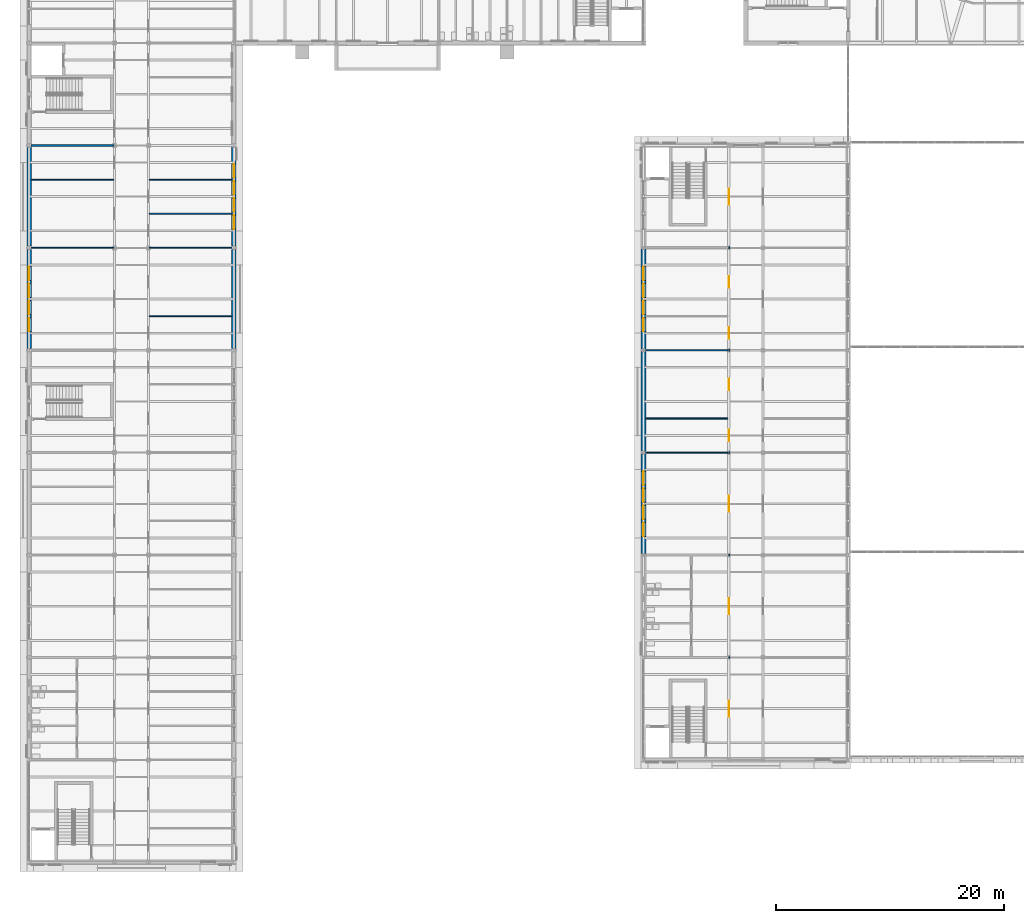
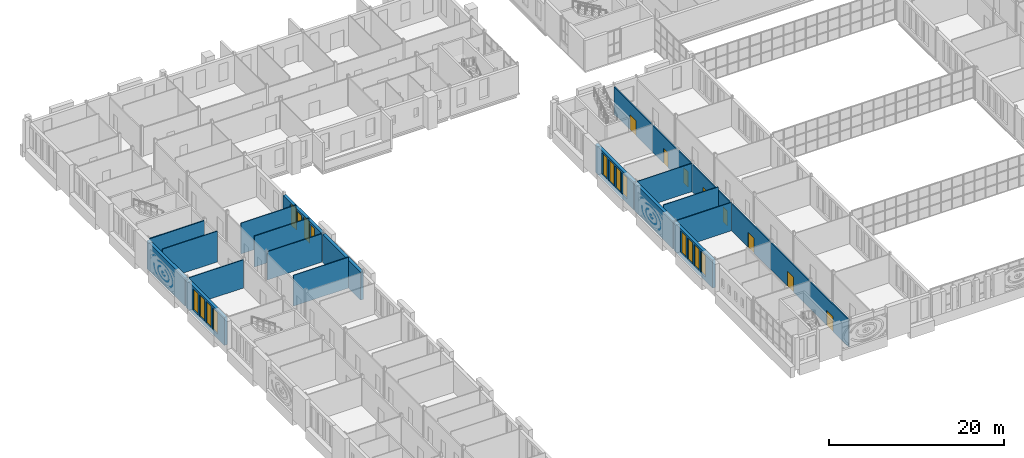
# One storey, part 75 of 131: 18 walls, 16 windows, 8 doors, 24 openings.
"""IFC4 building model written with IfcOpenShell, lengths in metres."""

from ifc_helpers import new_model, si_unit, direction, frame, frame_2d, origin, place, context, subcontext, project, spatial, rectangle, extrude, material, layer, layer_set, type_object, element, fill, save


model = new_model("IFC4")

# Units and contexts
model_context = context("Model", 3, precision=1e-05, world=origin(), true_north=direction((0.0, 1.0)))
body_context = subcontext(model_context, "Body", "Model", "MODEL_VIEW")
ifc_project = project(units=[si_unit("LENGTHUNIT", "METRE"), si_unit("AREAUNIT", "SQUARE_METRE"), si_unit("VOLUMEUNIT", "CUBIC_METRE"), si_unit("PLANEANGLEUNIT", "RADIAN"), si_unit("MASSUNIT", "GRAM", prefix="KILO")], contexts=[model_context])

# Site, building, storey
site_placement = place(None, origin())
site = spatial("IfcSite", under=ifc_project, at=site_placement, CompositionType="ELEMENT")
building_placement = place(site_placement, origin())
building = spatial("IfcBuilding", under=site, at=building_placement, Name="Golden Quay Civic Hall", CompositionType="ELEMENT")
storey_placement = place(building_placement, frame((0.0, 0.0, 9.89990234375)))
storey = spatial("IfcBuildingStorey", under=building, at=storey_placement, Name="L02", CompositionType="ELEMENT", Elevation=9.89990234375)

# Walls
ifc_material_1 = material(Name="Plasterboard on steel studs", Category="steel")
ifc_layer_1 = layer(ifc_material_1, 0.10009765625)
ifc_layer_set_1 = layer_set([ifc_layer_1], Name="Partition 100 stud")
wall_type_1 = type_object("IfcWallType", Name="Partition 100 stud", PredefinedType="PARTITIONING", material=ifc_layer_set_1)
wall_1_placement = place(storey_placement, frame((0.199951171875, 45.0, 0.0), z_axis=(0.0, 0.0, 1.0), x_axis=(1.0, 0.0, 0.0)))
element("IfcWall", 1, at=wall_1_placement, inside=storey, type_object=wall_type_1, Name="Partition L02-005", PredefinedType="PARTITIONING", context=body_context, shape_type="SweptSolid", body=[
    extrude(rectangle(XDim=7.22509765625, YDim=0.10009765625, at=frame_2d((3.612548828125, 0.0))), origin(), (0.0, 0.0, 1.0), 3.9501953125),
])
for number, where, z_axis, x_axis, name in (
    (2, (0.199951171875, 51.0, 0.0), (0.0, 0.0, 1.0), (1.0, 0.0, 0.0), "Partition L02-006"),
    (3, (10.574951171875, 39.0, 0.0), (0.0, 0.0, 1.0), (1.0, 0.0, 0.0), "Partition L02-019"),
):
    element("IfcWall", number, at=place(storey_placement, frame(where, z_axis=z_axis, x_axis=x_axis)), inside=storey, type_object=wall_type_1, Name=name, PredefinedType="PARTITIONING", context=body_context, shape_type="SweptSolid", body=[
        extrude(rectangle(XDim=7.22509765625, YDim=0.10009765625, at=frame_2d((3.612548828125, 0.0))), origin(), (0.0, 0.0, 1.0), 4.300048828125),
    ])
wall_2_placement = place(storey_placement, frame((10.574951171875, 45.0, 0.0), z_axis=(0.0, 0.0, 1.0), x_axis=(1.0, 0.0, 0.0)))
element("IfcWall", 4, at=wall_2_placement, inside=storey, type_object=wall_type_1, Name="Partition L02-020", PredefinedType="PARTITIONING", context=body_context, shape_type="SweptSolid", body=[
    extrude(rectangle(XDim=7.22509765625, YDim=0.10009765625, at=frame_2d((3.612548828125, 0.0))), origin(), (0.0, 0.0, 1.0), 3.9501953125),
])
for number, where, z_axis, x_axis, name in (
    (5, (10.574951171875, 48.0, 0.0), (0.0, 0.0, 1.0), (1.0, 0.0, 0.0), "Partition L02-021"),
    (6, (10.574951171875, 51.0, 0.0), (0.0, 0.0, 1.0), (1.0, 0.0, 0.0), "Partition L02-022"),
):
    element("IfcWall", number, at=place(storey_placement, frame(where, z_axis=z_axis, x_axis=x_axis)), inside=storey, type_object=wall_type_1, Name=name, PredefinedType="PARTITIONING", context=body_context, shape_type="SweptSolid", body=[
        extrude(rectangle(XDim=7.22509765625, YDim=0.10009765625, at=frame_2d((3.612548828125, 0.0))), origin(), (0.0, 0.0, 1.0), 4.300048828125),
    ])
wall_3_placement = place(storey_placement, frame((54.199951171875, 27.0, 0.0), z_axis=(0.0, 0.0, 1.0), x_axis=(1.0, 0.0, 0.0)))
element("IfcWall", 7, at=wall_3_placement, inside=storey, type_object=wall_type_1, Name="Partition L02-001", PredefinedType="PARTITIONING", context=body_context, shape_type="SweptSolid", body=[
    extrude(rectangle(XDim=7.22509765625, YDim=0.10009765625, at=frame_2d((3.612548828125, 0.0))), origin(), (0.0, 0.0, 1.0), 3.9501953125),
])
wall_4_placement = place(storey_placement, frame((54.199951171875, 30.0, 0.0), z_axis=(0.0, 0.0, 1.0), x_axis=(1.0, 0.0, 0.0)))
element("IfcWall", 8, at=wall_4_placement, inside=storey, type_object=wall_type_1, Name="Partition L02-002", PredefinedType="PARTITIONING", context=body_context, shape_type="SweptSolid", body=[
    extrude(rectangle(XDim=7.22509765625, YDim=0.10009765625, at=frame_2d((3.612548828125, 0.0))), origin(), (0.0, 0.0, 1.0), 4.300048828125),
])
wall_5_placement = place(storey_placement, frame((54.199951171875, 36.0, 0.0), z_axis=(0.0, 0.0, 1.0), x_axis=(1.0, 0.0, 0.0)))
element("IfcWall", 9, at=wall_5_placement, inside=storey, type_object=wall_type_1, Name="Partition L02-003", PredefinedType="PARTITIONING", context=body_context, shape_type="SweptSolid", body=[
    extrude(rectangle(XDim=7.22509765625, YDim=0.10009765625, at=frame_2d((3.612548828125, 0.0))), origin(), (0.0, 0.0, 1.0), 3.9501953125),
])
ifc_material_2 = material(Name="Plasterboard on steel studs", Category="steel")
ifc_layer_2 = layer(ifc_material_2, 0.14990234375)
ifc_layer_set_2 = layer_set([ifc_layer_2], Name="Partition 150 stud fire EI 60")
wall_type_2 = type_object("IfcWallType", Name="Partition 150 stud fire EI 60", PredefinedType="PARTITIONING", material=ifc_layer_set_2)
wall_6_placement = place(storey_placement, frame((0.199951171875, 54.0, 0.0), z_axis=(0.0, 0.0, 1.0), x_axis=(1.0, 0.0, 0.0)))
element("IfcWall", 10, at=wall_6_placement, inside=storey, type_object=wall_type_2, Name="Partition L02-007", PredefinedType="PARTITIONING", context=body_context, shape_type="SweptSolid", body=[
    extrude(rectangle(XDim=7.22509765625, YDim=0.14990234375, at=frame_2d((3.612548828125, 0.0))), origin(), (0.0, 0.0, 1.0), 3.9501953125),
])

# Wall, openings, doors
wall_7_placement = place(storey_placement, frame((61.5, 0.199951171875, 0.0), z_axis=(0.0, 0.0, 1.0), x_axis=(0.0, 1.0, 0.0)))
wall_7 = element("IfcWall", 11, at=wall_7_placement, inside=storey, type_object=wall_type_2, Name="Partition L02-013", PredefinedType="PARTITIONING", context=body_context, shape_type="SweptSolid", body=[
    extrude(rectangle(XDim=53.60009765625, YDim=0.14990234375, at=frame_2d((26.800048828125, 0.0))), origin(), (0.0, 0.0, 1.0), 3.780029296875),
])
opening_1_placement = place(wall_7_placement, frame((21.60009765625, 0.0, 0.0)))
opening_1 = element("IfcOpeningElement", 12, at=opening_1_placement, cuts=wall_7, Name="Opening L02-D085", PredefinedType="OPENING", context=body_context, shape_type="SweptSolid", body=[
    extrude(rectangle(XDim=1.39990234375, YDim=2.10009765625, at=frame_2d((0.699951171875, 1.050048828125))), frame((0.0, 0.0849609375, 0.0), z_axis=(0.0, -1.0, 0.0), x_axis=(1.0, 0.0, 0.0)), (0.0, 0.0, 1.0), 0.169921875),
])
opening_2_placement = place(wall_7_placement, frame((27.800048828125, 0.0, 0.0)))
opening_2 = element("IfcOpeningElement", 13, at=opening_2_placement, cuts=wall_7, Name="Opening L02-D086", PredefinedType="OPENING", context=body_context, shape_type="SweptSolid", body=[
    extrude(rectangle(XDim=1.0, YDim=2.10009765625, at=frame_2d((0.5, 1.050048828125))), frame((0.0, 0.0849609375, 0.0), z_axis=(0.0, -1.0, 0.0), x_axis=(1.0, 0.0, 0.0)), (0.0, 0.0, 1.0), 0.169921875),
])
opening_3_placement = place(wall_7_placement, frame((32.300048828125, 0.0, 0.0)))
opening_3 = element("IfcOpeningElement", 14, at=opening_3_placement, cuts=wall_7, Name="Opening L02-D087", PredefinedType="OPENING", context=body_context, shape_type="SweptSolid", body=[
    extrude(rectangle(XDim=1.0, YDim=2.10009765625, at=frame_2d((0.5, 1.050048828125))), frame((0.0, 0.0849609375, 0.0), z_axis=(0.0, -1.0, 0.0), x_axis=(1.0, 0.0, 0.0)), (0.0, 0.0, 1.0), 0.169921875),
])
opening_4_placement = place(wall_7_placement, frame((36.800048828125, 0.0, 0.0)))
opening_4 = element("IfcOpeningElement", 15, at=opening_4_placement, cuts=wall_7, Name="Opening L02-D088", PredefinedType="OPENING", context=body_context, shape_type="SweptSolid", body=[
    extrude(rectangle(XDim=1.0, YDim=2.10009765625, at=frame_2d((0.5, 1.050048828125))), frame((0.0, 0.0849609375, 0.0), z_axis=(0.0, -1.0, 0.0), x_axis=(1.0, 0.0, 0.0)), (0.0, 0.0, 1.0), 0.169921875),
])
opening_5_placement = place(wall_7_placement, frame((41.300048828125, 0.0, 0.0)))
opening_5 = element("IfcOpeningElement", 16, at=opening_5_placement, cuts=wall_7, Name="Opening L02-D089", PredefinedType="OPENING", context=body_context, shape_type="SweptSolid", body=[
    extrude(rectangle(XDim=1.0, YDim=2.10009765625, at=frame_2d((0.5, 1.050048828125))), frame((0.0, 0.0849609375, 0.0), z_axis=(0.0, -1.0, 0.0), x_axis=(1.0, 0.0, 0.0)), (0.0, 0.0, 1.0), 0.169921875),
])
opening_6_placement = place(wall_7_placement, frame((12.60009765625, 0.0, 0.0)))
opening_6 = element("IfcOpeningElement", 17, at=opening_6_placement, cuts=wall_7, Name="Opening L02-D097", PredefinedType="OPENING", context=body_context, shape_type="SweptSolid", body=[
    extrude(rectangle(XDim=1.39990234375, YDim=2.10009765625, at=frame_2d((0.699951171875, 1.050048828125))), frame((0.0, 0.0849609375, 0.0), z_axis=(0.0, -1.0, 0.0), x_axis=(1.0, 0.0, 0.0)), (0.0, 0.0, 1.0), 0.169921875),
])
opening_7_placement = place(wall_7_placement, frame((3.60009765625, 0.0, 0.0)))
opening_7 = element("IfcOpeningElement", 18, at=opening_7_placement, cuts=wall_7, Name="Opening L02-D102", PredefinedType="OPENING", context=body_context, shape_type="SweptSolid", body=[
    extrude(rectangle(XDim=1.39990234375, YDim=2.10009765625, at=frame_2d((0.699951171875, 1.050048828125))), frame((0.0, 0.0849609375, 0.0), z_axis=(0.0, -1.0, 0.0), x_axis=(1.0, 0.0, 0.0)), (0.0, 0.0, 1.0), 0.169921875),
])
opening_8_placement = place(wall_7_placement, frame((48.60009765625, 0.0, 0.0)))
opening_8 = element("IfcOpeningElement", 19, at=opening_8_placement, cuts=wall_7, Name="Opening L02-D104", PredefinedType="OPENING", context=body_context, shape_type="SweptSolid", body=[
    extrude(rectangle(XDim=1.39990234375, YDim=2.10009765625, at=frame_2d((0.699951171875, 1.050048828125))), frame((0.0, 0.0849609375, 0.0), z_axis=(0.0, -1.0, 0.0), x_axis=(1.0, 0.0, 0.0)), (0.0, 0.0, 1.0), 0.169921875),
])
ifc_material_3 = material(Name="Steel", Category="steel")
door_type_1 = type_object("IfcDoorType", Name="Steel double fire door FD30S 1400 x 2100", OperationType="DOUBLE_DOOR_SINGLE_SWING", PredefinedType="DOOR", material=ifc_material_3)
door_1_placement = place(opening_1_placement, origin())
door_1 = element("IfcDoor", 20, at=door_1_placement, inside=storey, type_object=door_type_1, Name="Door L02-D085", OperationType="DOUBLE_DOOR_SINGLE_SWING", OverallHeight=2.10009765625, OverallWidth=1.39990234375, PredefinedType="DOOR", context=body_context, shape_type="SweptSolid", body=[
    extrude(rectangle(XDim=1.39990234375, YDim=2.10009765625, at=frame_2d((0.699951171875, 1.050048828125))), frame((0.0, 0.02490234375, 0.0), z_axis=(0.0, -1.0, 0.0), x_axis=(1.0, 0.0, 0.0)), (0.0, 0.0, 1.0), 0.050048828125),
])
fill(opening_1, door_1)
door_2_placement = place(opening_6_placement, origin())
door_2 = element("IfcDoor", 21, at=door_2_placement, inside=storey, type_object=door_type_1, Name="Door L02-D097", OperationType="DOUBLE_DOOR_SINGLE_SWING", OverallHeight=2.10009765625, OverallWidth=1.39990234375, PredefinedType="DOOR", context=body_context, shape_type="SweptSolid", body=[
    extrude(rectangle(XDim=1.39990234375, YDim=2.10009765625, at=frame_2d((0.699951171875, 1.050048828125))), frame((0.0, 0.02490234375, 0.0), z_axis=(0.0, -1.0, 0.0), x_axis=(1.0, 0.0, 0.0)), (0.0, 0.0, 1.0), 0.050048828125),
])
fill(opening_6, door_2)
door_3_placement = place(opening_7_placement, frame((1.39990234375, 0.0, 0.0), z_axis=(0.0, 0.0, 1.0), x_axis=(-1.0, 0.0, 0.0)))
door_3 = element("IfcDoor", 22, at=door_3_placement, inside=storey, type_object=door_type_1, Name="Door L02-D102", OperationType="DOUBLE_DOOR_SINGLE_SWING", OverallHeight=2.10009765625, OverallWidth=1.39990234375, PredefinedType="DOOR", context=body_context, shape_type="SweptSolid", body=[
    extrude(rectangle(XDim=1.39990234375, YDim=2.10009765625, at=frame_2d((0.699951171875, 1.050048828125))), frame((0.0, 0.025146484375, 0.0), z_axis=(0.0, -1.0, 0.0), x_axis=(1.0, 0.0, 0.0)), (0.0, 0.0, 1.0), 0.050048828125),
])
fill(opening_7, door_3)
door_4_placement = place(opening_8_placement, frame((1.39990234375, 0.0, 0.0), z_axis=(0.0, 0.0, 1.0), x_axis=(-1.0, 0.0, 0.0)))
door_4 = element("IfcDoor", 23, at=door_4_placement, inside=storey, type_object=door_type_1, Name="Door L02-D104", OperationType="DOUBLE_DOOR_SINGLE_SWING", OverallHeight=2.10009765625, OverallWidth=1.39990234375, PredefinedType="DOOR", context=body_context, shape_type="SweptSolid", body=[
    extrude(rectangle(XDim=1.39990234375, YDim=2.10009765625, at=frame_2d((0.699951171875, 1.050048828125))), frame((0.0, 0.025146484375, 0.0), z_axis=(0.0, -1.0, 0.0), x_axis=(1.0, 0.0, 0.0)), (0.0, 0.0, 1.0), 0.050048828125),
])
fill(opening_8, door_4)
ifc_material_4 = material(Name="Steel", Category="steel")
door_type_2 = type_object("IfcDoorType", Name="Steel fire door FD30S 1000 x 2100", OperationType="SINGLE_SWING_LEFT", PredefinedType="DOOR", material=ifc_material_4)
door_5_placement = place(opening_2_placement, origin())
door_5 = element("IfcDoor", 24, at=door_5_placement, inside=storey, type_object=door_type_2, Name="Door L02-D086", OperationType="SINGLE_SWING_LEFT", OverallHeight=2.10009765625, OverallWidth=1.0, PredefinedType="DOOR", context=body_context, shape_type="SweptSolid", body=[
    extrude(rectangle(XDim=1.0, YDim=2.10009765625, at=frame_2d((0.5, 1.050048828125))), frame((0.0, 0.02490234375, 0.0), z_axis=(0.0, -1.0, 0.0), x_axis=(1.0, 0.0, 0.0)), (0.0, 0.0, 1.0), 0.050048828125),
])
fill(opening_2, door_5)
door_6_placement = place(opening_3_placement, origin())
door_6 = element("IfcDoor", 25, at=door_6_placement, inside=storey, type_object=door_type_2, Name="Door L02-D087", OperationType="SINGLE_SWING_LEFT", OverallHeight=2.10009765625, OverallWidth=1.0, PredefinedType="DOOR", context=body_context, shape_type="SweptSolid", body=[
    extrude(rectangle(XDim=1.0, YDim=2.10009765625, at=frame_2d((0.5, 1.050048828125))), frame((0.0, 0.02490234375, 0.0), z_axis=(0.0, -1.0, 0.0), x_axis=(1.0, 0.0, 0.0)), (0.0, 0.0, 1.0), 0.050048828125),
])
fill(opening_3, door_6)
door_7_placement = place(opening_4_placement, origin())
door_7 = element("IfcDoor", 26, at=door_7_placement, inside=storey, type_object=door_type_2, Name="Door L02-D088", OperationType="SINGLE_SWING_LEFT", OverallHeight=2.10009765625, OverallWidth=1.0, PredefinedType="DOOR", context=body_context, shape_type="SweptSolid", body=[
    extrude(rectangle(XDim=1.0, YDim=2.10009765625, at=frame_2d((0.5, 1.050048828125))), frame((0.0, 0.02490234375, 0.0), z_axis=(0.0, -1.0, 0.0), x_axis=(1.0, 0.0, 0.0)), (0.0, 0.0, 1.0), 0.050048828125),
])
fill(opening_4, door_7)
door_8_placement = place(opening_5_placement, origin())
door_8 = element("IfcDoor", 27, at=door_8_placement, inside=storey, type_object=door_type_2, Name="Door L02-D089", OperationType="SINGLE_SWING_LEFT", OverallHeight=2.10009765625, OverallWidth=1.0, PredefinedType="DOOR", context=body_context, shape_type="SweptSolid", body=[
    extrude(rectangle(XDim=1.0, YDim=2.10009765625, at=frame_2d((0.5, 1.050048828125))), frame((0.0, 0.02490234375, 0.0), z_axis=(0.0, -1.0, 0.0), x_axis=(1.0, 0.0, 0.0)), (0.0, 0.0, 1.0), 0.050048828125),
])
fill(opening_5, door_8)

# Wall, openings, windows
ifc_material_5 = material(Name="Clay block, rendered, cream")
ifc_layer_3 = layer(ifc_material_5, 0.39990234375)
ifc_layer_set_3 = layer_set([ifc_layer_3], Name="Rendered block external wall 400")
wall_type_3 = type_object("IfcWallType", Name="Rendered block external wall 400", PredefinedType="STANDARD", material=ifc_layer_set_3)
wall_8_placement = place(storey_placement, frame((0.0, 36.14501953125, 0.0), z_axis=(0.0, 0.0, 1.0), x_axis=(0.0, 1.0, 0.0)))
wall_8 = element("IfcWall", 28, at=wall_8_placement, inside=storey, type_object=wall_type_3, Name="Rendered block external wall 400 L02 4", PredefinedType="STANDARD", context=body_context, shape_type="SweptSolid", body=[
    extrude(rectangle(XDim=8.7099609375, YDim=0.39990234375, at=frame_2d((4.35498046875, 0.0))), origin(), (0.0, 0.0, 1.0), 3.900146484375),
])
opening_9_placement = place(wall_8_placement, frame((1.5048828125, 0.0, 0.60009765625)))
opening_9 = element("IfcOpeningElement", 29, at=opening_9_placement, cuts=wall_8, Name="Opening WN5", PredefinedType="OPENING", context=body_context, shape_type="SweptSolid", body=[
    extrude(rectangle(XDim=1.199951171875, YDim=3.0, at=frame_2d((0.60009765625, 1.5))), frame((0.0, 0.2099609375, 0.0), z_axis=(0.0, -1.0, 0.0), x_axis=(1.0, 0.0, 0.0)), (0.0, 0.0, 1.0), 0.419921875),
])
opening_10_placement = place(wall_8_placement, frame((3.0048828125, 0.0, 0.60009765625)))
opening_10 = element("IfcOpeningElement", 30, at=opening_10_placement, cuts=wall_8, Name="Opening WN5", PredefinedType="OPENING", context=body_context, shape_type="SweptSolid", body=[
    extrude(rectangle(XDim=1.199951171875, YDim=3.0, at=frame_2d((0.60009765625, 1.5))), frame((0.0, 0.2099609375, 0.0), z_axis=(0.0, -1.0, 0.0), x_axis=(1.0, 0.0, 0.0)), (0.0, 0.0, 1.0), 0.419921875),
])
opening_11_placement = place(wall_8_placement, frame((4.5048828125, 0.0, 0.60009765625)))
opening_11 = element("IfcOpeningElement", 31, at=opening_11_placement, cuts=wall_8, Name="Opening WN5", PredefinedType="OPENING", context=body_context, shape_type="SweptSolid", body=[
    extrude(rectangle(XDim=1.199951171875, YDim=3.0, at=frame_2d((0.60009765625, 1.5))), frame((0.0, 0.2099609375, 0.0), z_axis=(0.0, -1.0, 0.0), x_axis=(1.0, 0.0, 0.0)), (0.0, 0.0, 1.0), 0.419921875),
])
opening_12_placement = place(wall_8_placement, frame((6.0048828125, 0.0, 0.60009765625)))
opening_12 = element("IfcOpeningElement", 32, at=opening_12_placement, cuts=wall_8, Name="Opening WN5", PredefinedType="OPENING", context=body_context, shape_type="SweptSolid", body=[
    extrude(rectangle(XDim=1.199951171875, YDim=3.0, at=frame_2d((0.60009765625, 1.5))), frame((0.0, 0.2099609375, 0.0), z_axis=(0.0, -1.0, 0.0), x_axis=(1.0, 0.0, 0.0)), (0.0, 0.0, 1.0), 0.419921875),
])
ifc_material_6 = material(Name="Aluminium frame, double glazed", Category="aluminium")
window_type = type_object("IfcWindowType", Name="Golden grid window 1200 x 3000", PartitioningType="SINGLE_PANEL", PredefinedType="WINDOW", material=ifc_material_6)
window_1_placement = place(opening_9_placement, origin())
window_1 = element("IfcWindow", 33, at=window_1_placement, inside=storey, type_object=window_type, Name="Golden grid window 1200 x 3000 L02 5", OverallHeight=3.0, OverallWidth=1.199951171875, PartitioningType="SINGLE_PANEL", PredefinedType="WINDOW", context=body_context, shape_type="SweptSolid", body=[
    extrude(rectangle(XDim=1.199951171875, YDim=3.0, at=frame_2d((0.60009765625, 1.5))), frame((0.0, 0.030029296875, 0.0), z_axis=(0.0, -1.0, 0.0), x_axis=(1.0, 0.0, 0.0)), (0.0, 0.0, 1.0), 0.06005859375),
])
fill(opening_9, window_1)
window_2_placement = place(opening_10_placement, origin())
window_2 = element("IfcWindow", 34, at=window_2_placement, inside=storey, type_object=window_type, Name="Golden grid window 1200 x 3000 L02 6", OverallHeight=3.0, OverallWidth=1.199951171875, PartitioningType="SINGLE_PANEL", PredefinedType="WINDOW", context=body_context, shape_type="SweptSolid", body=[
    extrude(rectangle(XDim=1.199951171875, YDim=3.0, at=frame_2d((0.60009765625, 1.5))), frame((0.0, 0.030029296875, 0.0), z_axis=(0.0, -1.0, 0.0), x_axis=(1.0, 0.0, 0.0)), (0.0, 0.0, 1.0), 0.06005859375),
])
fill(opening_10, window_2)
window_3_placement = place(opening_11_placement, origin())
window_3 = element("IfcWindow", 35, at=window_3_placement, inside=storey, type_object=window_type, Name="Golden grid window 1200 x 3000 L02 7", OverallHeight=3.0, OverallWidth=1.199951171875, PartitioningType="SINGLE_PANEL", PredefinedType="WINDOW", context=body_context, shape_type="SweptSolid", body=[
    extrude(rectangle(XDim=1.199951171875, YDim=3.0, at=frame_2d((0.60009765625, 1.5))), frame((0.0, 0.030029296875, 0.0), z_axis=(0.0, -1.0, 0.0), x_axis=(1.0, 0.0, 0.0)), (0.0, 0.0, 1.0), 0.06005859375),
])
fill(opening_11, window_3)
window_4_placement = place(opening_12_placement, origin())
window_4 = element("IfcWindow", 36, at=window_4_placement, inside=storey, type_object=window_type, Name="Golden grid window 1200 x 3000 L02 8", OverallHeight=3.0, OverallWidth=1.199951171875, PartitioningType="SINGLE_PANEL", PredefinedType="WINDOW", context=body_context, shape_type="SweptSolid", body=[
    extrude(rectangle(XDim=1.199951171875, YDim=3.0, at=frame_2d((0.60009765625, 1.5))), frame((0.0, 0.030029296875, 0.0), z_axis=(0.0, -1.0, 0.0), x_axis=(1.0, 0.0, 0.0)), (0.0, 0.0, 1.0), 0.06005859375),
])
fill(opening_12, window_4)

# Walls
for number, where, z_axis, x_axis, name in (
    (37, (0.0, 45.14501953125, 0.0), (0.0, 0.0, 1.0), (0.0, 1.0, 0.0), "Rendered block external wall 400 L02 5"),
    (38, (18.0, 44.85498046875, 0.0), (0.0, 0.0, 1.0), (0.0, -1.0, 0.0), "Rendered block external wall 400 L02 17"),
):
    element("IfcWall", number, at=place(storey_placement, frame(where, z_axis=z_axis, x_axis=x_axis)), inside=storey, type_object=wall_type_3, Name=name, PredefinedType="STANDARD", context=body_context, shape_type="SweptSolid", body=[
        extrude(rectangle(XDim=8.7099609375, YDim=0.39990234375, at=frame_2d((4.35498046875, 0.0))), origin(), (0.0, 0.0, 1.0), 3.900146484375),
    ])

# Wall, openings, windows
wall_9_placement = place(storey_placement, frame((18.0, 53.85498046875, 0.0), z_axis=(0.0, 0.0, 1.0), x_axis=(0.0, -1.0, 0.0)))
wall_9 = element("IfcWall", 39, at=wall_9_placement, inside=storey, type_object=wall_type_3, Name="Rendered block external wall 400 L02 18", PredefinedType="STANDARD", context=body_context, shape_type="SweptSolid", body=[
    extrude(rectangle(XDim=8.7099609375, YDim=0.39990234375, at=frame_2d((4.35498046875, 0.0))), origin(), (0.0, 0.0, 1.0), 3.900146484375),
])
opening_13_placement = place(wall_9_placement, frame((6.0048828125, 0.0, 0.60009765625)))
opening_13 = element("IfcOpeningElement", 40, at=opening_13_placement, cuts=wall_9, Name="Opening WN5", PredefinedType="OPENING", context=body_context, shape_type="SweptSolid", body=[
    extrude(rectangle(XDim=1.199951171875, YDim=3.0, at=frame_2d((0.60009765625, 1.5))), frame((0.0, 0.2099609375, 0.0), z_axis=(0.0, -1.0, 0.0), x_axis=(1.0, 0.0, 0.0)), (0.0, 0.0, 1.0), 0.419921875),
])
opening_14_placement = place(wall_9_placement, frame((4.5048828125, 0.0, 0.60009765625)))
opening_14 = element("IfcOpeningElement", 41, at=opening_14_placement, cuts=wall_9, Name="Opening WN5", PredefinedType="OPENING", context=body_context, shape_type="SweptSolid", body=[
    extrude(rectangle(XDim=1.199951171875, YDim=3.0, at=frame_2d((0.60009765625, 1.5))), frame((0.0, 0.2099609375, 0.0), z_axis=(0.0, -1.0, 0.0), x_axis=(1.0, 0.0, 0.0)), (0.0, 0.0, 1.0), 0.419921875),
])
opening_15_placement = place(wall_9_placement, frame((3.0048828125, 0.0, 0.60009765625)))
opening_15 = element("IfcOpeningElement", 42, at=opening_15_placement, cuts=wall_9, Name="Opening WN5", PredefinedType="OPENING", context=body_context, shape_type="SweptSolid", body=[
    extrude(rectangle(XDim=1.199951171875, YDim=3.0, at=frame_2d((0.60009765625, 1.5))), frame((0.0, 0.2099609375, 0.0), z_axis=(0.0, -1.0, 0.0), x_axis=(1.0, 0.0, 0.0)), (0.0, 0.0, 1.0), 0.419921875),
])
opening_16_placement = place(wall_9_placement, frame((1.5048828125, 0.0, 0.60009765625)))
opening_16 = element("IfcOpeningElement", 43, at=opening_16_placement, cuts=wall_9, Name="Opening WN5", PredefinedType="OPENING", context=body_context, shape_type="SweptSolid", body=[
    extrude(rectangle(XDim=1.199951171875, YDim=3.0, at=frame_2d((0.60009765625, 1.5))), frame((0.0, 0.2099609375, 0.0), z_axis=(0.0, -1.0, 0.0), x_axis=(1.0, 0.0, 0.0)), (0.0, 0.0, 1.0), 0.419921875),
])
window_5_placement = place(opening_13_placement, origin())
window_5 = element("IfcWindow", 44, at=window_5_placement, inside=storey, type_object=window_type, Name="Golden grid window 1200 x 3000 L02 33", OverallHeight=3.0, OverallWidth=1.199951171875, PartitioningType="SINGLE_PANEL", PredefinedType="WINDOW", context=body_context, shape_type="SweptSolid", body=[
    extrude(rectangle(XDim=1.199951171875, YDim=3.0, at=frame_2d((0.60009765625, 1.5))), frame((0.0, 0.030029296875, 0.0), z_axis=(0.0, -1.0, 0.0), x_axis=(1.0, 0.0, 0.0)), (0.0, 0.0, 1.0), 0.06005859375),
])
fill(opening_13, window_5)
window_6_placement = place(opening_14_placement, origin())
window_6 = element("IfcWindow", 45, at=window_6_placement, inside=storey, type_object=window_type, Name="Golden grid window 1200 x 3000 L02 34", OverallHeight=3.0, OverallWidth=1.199951171875, PartitioningType="SINGLE_PANEL", PredefinedType="WINDOW", context=body_context, shape_type="SweptSolid", body=[
    extrude(rectangle(XDim=1.199951171875, YDim=3.0, at=frame_2d((0.60009765625, 1.5))), frame((0.0, 0.030029296875, 0.0), z_axis=(0.0, -1.0, 0.0), x_axis=(1.0, 0.0, 0.0)), (0.0, 0.0, 1.0), 0.06005859375),
])
fill(opening_14, window_6)
window_7_placement = place(opening_15_placement, origin())
window_7 = element("IfcWindow", 46, at=window_7_placement, inside=storey, type_object=window_type, Name="Golden grid window 1200 x 3000 L02 35", OverallHeight=3.0, OverallWidth=1.199951171875, PartitioningType="SINGLE_PANEL", PredefinedType="WINDOW", context=body_context, shape_type="SweptSolid", body=[
    extrude(rectangle(XDim=1.199951171875, YDim=3.0, at=frame_2d((0.60009765625, 1.5))), frame((0.0, 0.030029296875, 0.0), z_axis=(0.0, -1.0, 0.0), x_axis=(1.0, 0.0, 0.0)), (0.0, 0.0, 1.0), 0.06005859375),
])
fill(opening_15, window_7)
window_8_placement = place(opening_16_placement, origin())
window_8 = element("IfcWindow", 47, at=window_8_placement, inside=storey, type_object=window_type, Name="Golden grid window 1200 x 3000 L02 36", OverallHeight=3.0, OverallWidth=1.199951171875, PartitioningType="SINGLE_PANEL", PredefinedType="WINDOW", context=body_context, shape_type="SweptSolid", body=[
    extrude(rectangle(XDim=1.199951171875, YDim=3.0, at=frame_2d((0.60009765625, 1.5))), frame((0.0, 0.030029296875, 0.0), z_axis=(0.0, -1.0, 0.0), x_axis=(1.0, 0.0, 0.0)), (0.0, 0.0, 1.0), 0.06005859375),
])
fill(opening_16, window_8)

wall_10_placement = place(storey_placement, frame((54.0, 18.114990234375, 0.0), z_axis=(0.0, 0.0, 1.0), x_axis=(0.0, 1.0, 0.0)))
wall_10 = element("IfcWall", 48, at=wall_10_placement, inside=storey, type_object=wall_type_3, Name="Rendered block external wall 400 L02 22", PredefinedType="STANDARD", context=body_context, shape_type="SweptSolid", body=[
    extrude(rectangle(XDim=8.77001953125, YDim=0.39990234375, at=frame_2d((4.385009765625, 0.0))), origin(), (0.0, 0.0, 1.0), 3.900146484375),
])
opening_17_placement = place(wall_10_placement, frame((1.534912109375, 0.0, 0.60009765625)))
opening_17 = element("IfcOpeningElement", 49, at=opening_17_placement, cuts=wall_10, Name="Opening WN5", PredefinedType="OPENING", context=body_context, shape_type="SweptSolid", body=[
    extrude(rectangle(XDim=1.199951171875, YDim=3.0, at=frame_2d((0.60009765625, 1.5))), frame((0.0, 0.2099609375, 0.0), z_axis=(0.0, -1.0, 0.0), x_axis=(1.0, 0.0, 0.0)), (0.0, 0.0, 1.0), 0.419921875),
])
opening_18_placement = place(wall_10_placement, frame((3.034912109375, 0.0, 0.60009765625)))
opening_18 = element("IfcOpeningElement", 50, at=opening_18_placement, cuts=wall_10, Name="Opening WN5", PredefinedType="OPENING", context=body_context, shape_type="SweptSolid", body=[
    extrude(rectangle(XDim=1.199951171875, YDim=3.0, at=frame_2d((0.60009765625, 1.5))), frame((0.0, 0.2099609375, 0.0), z_axis=(0.0, -1.0, 0.0), x_axis=(1.0, 0.0, 0.0)), (0.0, 0.0, 1.0), 0.419921875),
])
opening_19_placement = place(wall_10_placement, frame((4.534912109375, 0.0, 0.60009765625)))
opening_19 = element("IfcOpeningElement", 51, at=opening_19_placement, cuts=wall_10, Name="Opening WN5", PredefinedType="OPENING", context=body_context, shape_type="SweptSolid", body=[
    extrude(rectangle(XDim=1.199951171875, YDim=3.0, at=frame_2d((0.60009765625, 1.5))), frame((0.0, 0.2099609375, 0.0), z_axis=(0.0, -1.0, 0.0), x_axis=(1.0, 0.0, 0.0)), (0.0, 0.0, 1.0), 0.419921875),
])
opening_20_placement = place(wall_10_placement, frame((6.034912109375, 0.0, 0.60009765625)))
opening_20 = element("IfcOpeningElement", 52, at=opening_20_placement, cuts=wall_10, Name="Opening WN5", PredefinedType="OPENING", context=body_context, shape_type="SweptSolid", body=[
    extrude(rectangle(XDim=1.199951171875, YDim=3.0, at=frame_2d((0.60009765625, 1.5))), frame((0.0, 0.2099609375, 0.0), z_axis=(0.0, -1.0, 0.0), x_axis=(1.0, 0.0, 0.0)), (0.0, 0.0, 1.0), 0.419921875),
])
window_9_placement = place(opening_17_placement, origin())
window_9 = element("IfcWindow", 53, at=window_9_placement, inside=storey, type_object=window_type, Name="Golden grid window 1200 x 3000 L02 38", OverallHeight=3.0, OverallWidth=1.199951171875, PartitioningType="SINGLE_PANEL", PredefinedType="WINDOW", context=body_context, shape_type="SweptSolid", body=[
    extrude(rectangle(XDim=1.199951171875, YDim=3.0, at=frame_2d((0.60009765625, 1.5))), frame((0.0, 0.030029296875, 0.0), z_axis=(0.0, -1.0, 0.0), x_axis=(1.0, 0.0, 0.0)), (0.0, 0.0, 1.0), 0.06005859375),
])
fill(opening_17, window_9)
window_10_placement = place(opening_18_placement, origin())
window_10 = element("IfcWindow", 54, at=window_10_placement, inside=storey, type_object=window_type, Name="Golden grid window 1200 x 3000 L02 39", OverallHeight=3.0, OverallWidth=1.199951171875, PartitioningType="SINGLE_PANEL", PredefinedType="WINDOW", context=body_context, shape_type="SweptSolid", body=[
    extrude(rectangle(XDim=1.199951171875, YDim=3.0, at=frame_2d((0.60009765625, 1.5))), frame((0.0, 0.030029296875, 0.0), z_axis=(0.0, -1.0, 0.0), x_axis=(1.0, 0.0, 0.0)), (0.0, 0.0, 1.0), 0.06005859375),
])
fill(opening_18, window_10)
window_11_placement = place(opening_19_placement, origin())
window_11 = element("IfcWindow", 55, at=window_11_placement, inside=storey, type_object=window_type, Name="Golden grid window 1200 x 3000 L02 40", OverallHeight=3.0, OverallWidth=1.199951171875, PartitioningType="SINGLE_PANEL", PredefinedType="WINDOW", context=body_context, shape_type="SweptSolid", body=[
    extrude(rectangle(XDim=1.199951171875, YDim=3.0, at=frame_2d((0.60009765625, 1.5))), frame((0.0, 0.030029296875, 0.0), z_axis=(0.0, -1.0, 0.0), x_axis=(1.0, 0.0, 0.0)), (0.0, 0.0, 1.0), 0.06005859375),
])
fill(opening_19, window_11)
window_12_placement = place(opening_20_placement, origin())
window_12 = element("IfcWindow", 56, at=window_12_placement, inside=storey, type_object=window_type, Name="Golden grid window 1200 x 3000 L02 41", OverallHeight=3.0, OverallWidth=1.199951171875, PartitioningType="SINGLE_PANEL", PredefinedType="WINDOW", context=body_context, shape_type="SweptSolid", body=[
    extrude(rectangle(XDim=1.199951171875, YDim=3.0, at=frame_2d((0.60009765625, 1.5))), frame((0.0, 0.030029296875, 0.0), z_axis=(0.0, -1.0, 0.0), x_axis=(1.0, 0.0, 0.0)), (0.0, 0.0, 1.0), 0.06005859375),
])
fill(opening_20, window_12)

# Wall
wall_11_placement = place(storey_placement, frame((54.0, 27.114990234375, 0.0), z_axis=(0.0, 0.0, 1.0), x_axis=(0.0, 1.0, 0.0)))
element("IfcWall", 57, at=wall_11_placement, inside=storey, type_object=wall_type_3, Name="Rendered block external wall 400 L02 23", PredefinedType="STANDARD", context=body_context, shape_type="SweptSolid", body=[
    extrude(rectangle(XDim=8.77001953125, YDim=0.39990234375, at=frame_2d((4.385009765625, 0.0))), origin(), (0.0, 0.0, 1.0), 3.900146484375),
])

# Wall, openings, windows
wall_12_placement = place(storey_placement, frame((54.0, 36.114990234375, 0.0), z_axis=(0.0, 0.0, 1.0), x_axis=(0.0, 1.0, 0.0)))
wall_12 = element("IfcWall", 58, at=wall_12_placement, inside=storey, type_object=wall_type_3, Name="Rendered block external wall 400 L02 24", PredefinedType="STANDARD", context=body_context, shape_type="SweptSolid", body=[
    extrude(rectangle(XDim=8.77001953125, YDim=0.39990234375, at=frame_2d((4.385009765625, 0.0))), origin(), (0.0, 0.0, 1.0), 3.900146484375),
])
opening_21_placement = place(wall_12_placement, frame((1.534912109375, 0.0, 0.60009765625)))
opening_21 = element("IfcOpeningElement", 59, at=opening_21_placement, cuts=wall_12, Name="Opening WN5", PredefinedType="OPENING", context=body_context, shape_type="SweptSolid", body=[
    extrude(rectangle(XDim=1.199951171875, YDim=3.0, at=frame_2d((0.60009765625, 1.5))), frame((0.0, 0.2099609375, 0.0), z_axis=(0.0, -1.0, 0.0), x_axis=(1.0, 0.0, 0.0)), (0.0, 0.0, 1.0), 0.419921875),
])
opening_22_placement = place(wall_12_placement, frame((3.034912109375, 0.0, 0.60009765625)))
opening_22 = element("IfcOpeningElement", 60, at=opening_22_placement, cuts=wall_12, Name="Opening WN5", PredefinedType="OPENING", context=body_context, shape_type="SweptSolid", body=[
    extrude(rectangle(XDim=1.199951171875, YDim=3.0, at=frame_2d((0.60009765625, 1.5))), frame((0.0, 0.2099609375, 0.0), z_axis=(0.0, -1.0, 0.0), x_axis=(1.0, 0.0, 0.0)), (0.0, 0.0, 1.0), 0.419921875),
])
opening_23_placement = place(wall_12_placement, frame((4.534912109375, 0.0, 0.60009765625)))
opening_23 = element("IfcOpeningElement", 61, at=opening_23_placement, cuts=wall_12, Name="Opening WN5", PredefinedType="OPENING", context=body_context, shape_type="SweptSolid", body=[
    extrude(rectangle(XDim=1.199951171875, YDim=3.0, at=frame_2d((0.60009765625, 1.5))), frame((0.0, 0.2099609375, 0.0), z_axis=(0.0, -1.0, 0.0), x_axis=(1.0, 0.0, 0.0)), (0.0, 0.0, 1.0), 0.419921875),
])
opening_24_placement = place(wall_12_placement, frame((6.034912109375, 0.0, 0.60009765625)))
opening_24 = element("IfcOpeningElement", 62, at=opening_24_placement, cuts=wall_12, Name="Opening WN5", PredefinedType="OPENING", context=body_context, shape_type="SweptSolid", body=[
    extrude(rectangle(XDim=1.199951171875, YDim=3.0, at=frame_2d((0.60009765625, 1.5))), frame((0.0, 0.2099609375, 0.0), z_axis=(0.0, -1.0, 0.0), x_axis=(1.0, 0.0, 0.0)), (0.0, 0.0, 1.0), 0.419921875),
])
window_13_placement = place(opening_21_placement, origin())
window_13 = element("IfcWindow", 63, at=window_13_placement, inside=storey, type_object=window_type, Name="Golden grid window 1200 x 3000 L02 42", OverallHeight=3.0, OverallWidth=1.199951171875, PartitioningType="SINGLE_PANEL", PredefinedType="WINDOW", context=body_context, shape_type="SweptSolid", body=[
    extrude(rectangle(XDim=1.199951171875, YDim=3.0, at=frame_2d((0.60009765625, 1.5))), frame((0.0, 0.030029296875, 0.0), z_axis=(0.0, -1.0, 0.0), x_axis=(1.0, 0.0, 0.0)), (0.0, 0.0, 1.0), 0.06005859375),
])
fill(opening_21, window_13)
window_14_placement = place(opening_22_placement, origin())
window_14 = element("IfcWindow", 64, at=window_14_placement, inside=storey, type_object=window_type, Name="Golden grid window 1200 x 3000 L02 43", OverallHeight=3.0, OverallWidth=1.199951171875, PartitioningType="SINGLE_PANEL", PredefinedType="WINDOW", context=body_context, shape_type="SweptSolid", body=[
    extrude(rectangle(XDim=1.199951171875, YDim=3.0, at=frame_2d((0.60009765625, 1.5))), frame((0.0, 0.030029296875, 0.0), z_axis=(0.0, -1.0, 0.0), x_axis=(1.0, 0.0, 0.0)), (0.0, 0.0, 1.0), 0.06005859375),
])
fill(opening_22, window_14)
window_15_placement = place(opening_23_placement, origin())
window_15 = element("IfcWindow", 65, at=window_15_placement, inside=storey, type_object=window_type, Name="Golden grid window 1200 x 3000 L02 44", OverallHeight=3.0, OverallWidth=1.199951171875, PartitioningType="SINGLE_PANEL", PredefinedType="WINDOW", context=body_context, shape_type="SweptSolid", body=[
    extrude(rectangle(XDim=1.199951171875, YDim=3.0, at=frame_2d((0.60009765625, 1.5))), frame((0.0, 0.030029296875, 0.0), z_axis=(0.0, -1.0, 0.0), x_axis=(1.0, 0.0, 0.0)), (0.0, 0.0, 1.0), 0.06005859375),
])
fill(opening_23, window_15)
window_16_placement = place(opening_24_placement, origin())
window_16 = element("IfcWindow", 66, at=window_16_placement, inside=storey, type_object=window_type, Name="Golden grid window 1200 x 3000 L02 45", OverallHeight=3.0, OverallWidth=1.199951171875, PartitioningType="SINGLE_PANEL", PredefinedType="WINDOW", context=body_context, shape_type="SweptSolid", body=[
    extrude(rectangle(XDim=1.199951171875, YDim=3.0, at=frame_2d((0.60009765625, 1.5))), frame((0.0, 0.030029296875, 0.0), z_axis=(0.0, -1.0, 0.0), x_axis=(1.0, 0.0, 0.0)), (0.0, 0.0, 1.0), 0.06005859375),
])
fill(opening_24, window_16)

save(model, "model.ifc")
